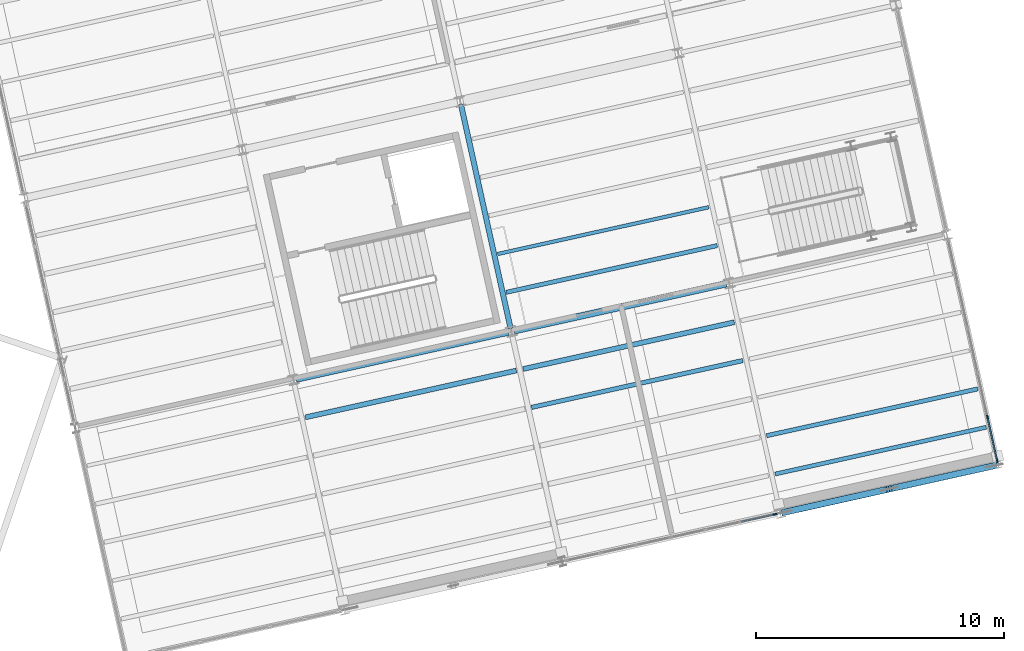
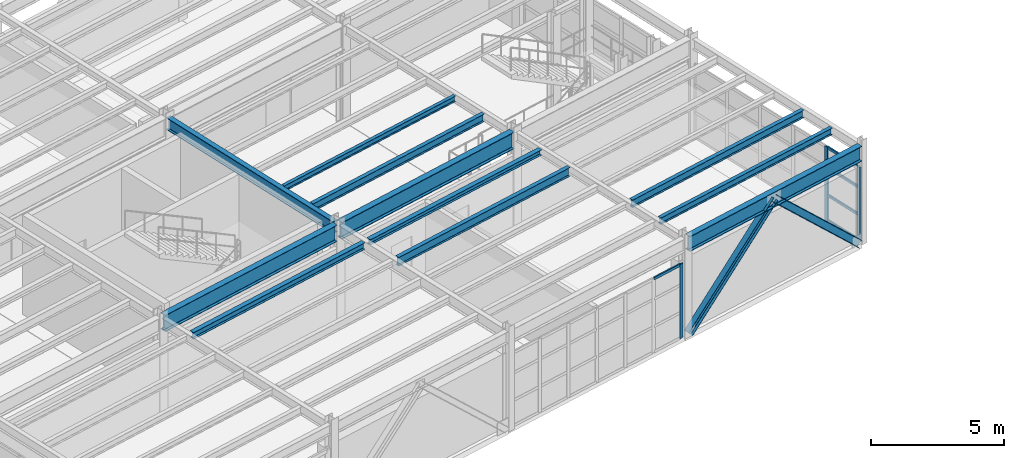
# One storey, part 59 of 109: 11 beams, 10 members, 2 elements without a shape of their own.
"""IFC4 building model written with IfcOpenShell, lengths in metres."""

import ifcopenshell
import ifcopenshell.guid

model = None  # the IFC model being written
_history = None  # IfcOwnerHistory: only IFC2X3 demands one
_inside = {}  # id of a spatial element -> (the spatial element, [elements in it])
_under = {}  # id of a project, library or spatial element -> (it, [spatial elements below it])
_declared = {}  # id of a project -> (the project, [libraries it declares])
_typed = {}  # id of a type object -> (the type object, [elements of that type])
_made_of = {}  # id of a material, layer set ... -> (it, [elements and type objects made of it])


def new_model(schema):
    """Start an empty IFC model of exactly this schema.

    Asked for "IFC4X3", IfcOpenShell would pick the latest addendum, in which some entities
    have other attributes; the version numbers below select the first issue.
    IFC2X3 requires an IfcOwnerHistory on every rooted entity: one is made here for all.
    """
    global model, _history
    if schema == "IFC4X3":
        model = ifcopenshell.file(schema_version=(4, 3, 0, 0))
    else:
        model = ifcopenshell.file(schema=schema)
    _inside.clear()
    _under.clear()
    _declared.clear()
    _typed.clear()
    _made_of.clear()
    _history = None
    if model.schema == "IFC2X3":
        org = make("IfcOrganization", Name="unknown")
        user = make(
            "IfcPersonAndOrganization",
            ThePerson=make("IfcPerson", FamilyName="unknown"),
            TheOrganization=org,
        )
        app = make(
            "IfcApplication",
            ApplicationDeveloper=org,
            Version="unknown",
            ApplicationFullName="unknown",
            ApplicationIdentifier="unknown",
        )
        _history = make(
            "IfcOwnerHistory",
            OwningUser=user,
            OwningApplication=app,
            ChangeAction="ADDED",
            CreationDate=0,
        )
    return model


def make(cls, **values):
    """One entity of the class cls with the attributes given. An attribute that is None is left unset."""
    return model.create_entity(
        cls, **{name: value for name, value in values.items() if value is not None}
    )


def rooted(cls, **values):
    """An entity with a GlobalId (a new one), such as an element, a storey or a relation."""
    return make(cls, GlobalId=ifcopenshell.guid.new(), OwnerHistory=_history, **values)


def si_unit(unit_type, name, prefix=None):
    """IfcSIUnit, for example si_unit("LENGTHUNIT", "METRE", prefix="MILLI")."""
    return make("IfcSIUnit", UnitType=unit_type, Prefix=prefix, Name=name)


def assignment(units):
    """IfcUnitAssignment: the units of a project."""
    return None if units is None else make("IfcUnitAssignment", Units=units)


def point(xyz):
    """IfcCartesianPoint."""
    return None if xyz is None else make("IfcCartesianPoint", Coordinates=xyz)


def direction(xyz):
    """IfcDirection."""
    return None if xyz is None else make("IfcDirection", DirectionRatios=xyz)


def frame(location, z_axis=None, x_axis=None):
    """IfcAxis2Placement3D, a coordinate frame: its origin and axes. An axis left out is left unset."""
    return make(
        "IfcAxis2Placement3D",
        Location=point(location),
        Axis=direction(z_axis),
        RefDirection=direction(x_axis),
    )


def frame_2d(location, x_axis=None):
    """IfcAxis2Placement2D, a coordinate frame in the plane: its origin and x axis."""
    return make(
        "IfcAxis2Placement2D", Location=point(location), RefDirection=direction(x_axis)
    )


def origin():
    """The frame at (0, 0, 0) with its axes left unset."""
    return frame((0.0, 0.0, 0.0))


def origin_2d():
    """The frame at (0, 0) in the plane with its x axis left unset."""
    return frame_2d((0.0, 0.0))


def place(relative_to, where):
    """IfcLocalPlacement: puts the frame where relative to a parent placement (None: the world)."""
    return make(
        "IfcLocalPlacement", PlacementRelTo=relative_to, RelativePlacement=where
    )


def context(
    kind, dimensions, precision=None, world=None, true_north=None, identifier=None
):
    """IfcGeometricRepresentationContext, for example the 3D "Model" context."""
    return make(
        "IfcGeometricRepresentationContext",
        ContextIdentifier=identifier,
        ContextType=kind,
        CoordinateSpaceDimension=dimensions,
        Precision=precision,
        WorldCoordinateSystem=world,
        TrueNorth=true_north,
    )


def subcontext(parent, identifier, kind, view, scale=None):
    """IfcGeometricRepresentationSubContext, for example "Body" below "Model"."""
    return make(
        "IfcGeometricRepresentationSubContext",
        ContextIdentifier=identifier,
        ContextType=kind,
        ParentContext=parent,
        TargetScale=scale,
        TargetView=view,
    )


def project(units=None, contexts=None):
    """IfcProject with its units and contexts."""
    return rooted(
        "IfcProject",
        Name="project",
        RepresentationContexts=contexts,
        UnitsInContext=assignment(units),
    )


def spatial(cls, under=None, at=None, **own):
    """A site, building, storey or space (cls), placed at a placement, below another one or the project."""
    s = rooted(cls, ObjectPlacement=at, **own)
    if under is not None:
        _under.setdefault(under.id(), (under, []))[1].append(s)
    return s


def profile(cls, at=None, kind="AREA", **sizes):
    """A parametric profile (cls). Its sizes go by their IFC names, for example OverallWidth=200.0."""
    return make(cls, ProfileType=kind, Position=at, **sizes)


def rectangle(**sizes):
    """IfcRectangleProfileDef."""
    return profile("IfcRectangleProfileDef", **sizes)


def i_section(**sizes):
    """IfcIShapeProfileDef."""
    return profile("IfcIShapeProfileDef", **sizes)


def extrude(swept, where, along, depth):
    """IfcExtrudedAreaSolid: the profile swept, set in the frame where, extruded along a direction by depth."""
    return make(
        "IfcExtrudedAreaSolid",
        SweptArea=swept,
        Position=where,
        ExtrudedDirection=direction(along),
        Depth=depth,
    )


def shape(context_of_items, identifier, shape_type, items):
    """IfcShapeRepresentation: the items that make up one representation, for example the "Body"."""
    return make(
        "IfcShapeRepresentation",
        ContextOfItems=context_of_items,
        RepresentationIdentifier=identifier,
        RepresentationType=shape_type,
        Items=items,
    )


def material(Name=None, Category=None):
    """IfcMaterial."""
    return make("IfcMaterial", Name=Name, Category=Category)


def layer(
    of_material, thickness, ventilated=None, Name=None, Category=None, Priority=None
):
    """IfcMaterialLayer: one layer of a wall or slab, of a material (None: an air gap)."""
    return make(
        "IfcMaterialLayer",
        Material=of_material,
        LayerThickness=thickness,
        IsVentilated=ventilated,
        Name=Name,
        Category=Category,
        Priority=Priority,
    )


def layer_set(layers, Name=None):
    """IfcMaterialLayerSet."""
    return make("IfcMaterialLayerSet", MaterialLayers=layers, LayerSetName=Name)


def material_profile(
    of_material, cross_section, Name=None, Category=None, Priority=None
):
    """IfcMaterialProfile: a cross section and its material."""
    return make(
        "IfcMaterialProfile",
        Name=Name,
        Material=of_material,
        Profile=cross_section,
        Priority=Priority,
        Category=Category,
    )


def profile_set(profiles, Name=None, composite=None):
    """IfcMaterialProfileSet."""
    return make(
        "IfcMaterialProfileSet",
        Name=Name,
        MaterialProfiles=profiles,
        CompositeProfile=composite,
    )


def made_of(thing, what):
    """Note that an element or type object is made of a material, layer set ...; save() writes the relation."""
    if what is not None:
        _made_of.setdefault(what.id(), (what, []))[1].append(thing)
    return thing


def type_object(cls, material=None, **own):
    """A type object (cls), such as IfcWallType, which elements share."""
    return made_of(rooted(cls, **own), material)


def element(
    cls,
    number,
    at=None,
    inside=None,
    cuts=None,
    type_object=None,
    material=None,
    context=None,
    identifier="Body",
    shape_type=None,
    held_by="IfcProductDefinitionShape",
    body=None,
    shapes=None,
    **own,
):
    """One element of the class cls, such as IfcWall. Its Tag is "e" and its number.

    at: its placement. inside: the storey or other place that contains it. cuts: it is an
    opening in that element (IfcRelVoidsElement). A single representation is given by context,
    identifier, shape_type and body (its items); several are given by shapes. held_by: the class
    of the entity that holds the representations. save() writes the other relations.
    """
    e = rooted(cls, Tag="e%d" % number, ObjectPlacement=at, **own)
    if body is not None:
        shapes = [shape(context, identifier, shape_type, body)]
    if shapes is not None:
        e.Representation = make(held_by, Representations=shapes)
    if inside is not None:
        _inside.setdefault(inside.id(), (inside, []))[1].append(e)
    if cuts is not None:
        rooted(
            "IfcRelVoidsElement", RelatingBuildingElement=cuts, RelatedOpeningElement=e
        )
    if type_object is not None:
        _typed.setdefault(type_object.id(), (type_object, []))[1].append(e)
    return made_of(e, material)


def aggregate(whole, parts):
    """IfcRelAggregates: a whole, such as a stair, and the parts it consists of."""
    return rooted("IfcRelAggregates", RelatingObject=whole, RelatedObjects=parts)


def save(model, path):
    """Write the relations noted so far, then the file.

    IfcRelAggregates (storeys below a building ...), IfcRelContainedInSpatialStructure (elements
    in a storey), IfcRelDefinesByType, IfcRelAssociatesMaterial and IfcRelDeclares: one each for
    every whole, place, type object, material and project.
    """
    for whole, parts in _under.values():
        aggregate(whole, parts)
    for where, things in _inside.values():
        rooted(
            "IfcRelContainedInSpatialStructure",
            RelatedElements=things,
            RelatingStructure=where,
        )
    for kind, things in _typed.values():
        rooted("IfcRelDefinesByType", RelatedObjects=things, RelatingType=kind)
    for what, things in _made_of.values():
        rooted("IfcRelAssociatesMaterial", RelatedObjects=things, RelatingMaterial=what)
    for by, libraries in _declared.values():
        rooted("IfcRelDeclares", RelatingContext=by, RelatedDefinitions=libraries)
    model.write(path)


model = new_model("IFC4")

# Units and contexts
model_context = context("Model", 3, precision=1e-05, world=origin(), true_north=direction((0.0, 1.0)))
body_context = subcontext(model_context, "Body", "Model", "MODEL_VIEW")
ifc_project = project(units=[si_unit("LENGTHUNIT", "METRE"), si_unit("AREAUNIT", "SQUARE_METRE"), si_unit("VOLUMEUNIT", "CUBIC_METRE"), si_unit("PLANEANGLEUNIT", "RADIAN"), si_unit("MASSUNIT", "GRAM", prefix="KILO")], contexts=[model_context])

# Site, building, storey
site_placement = place(None, origin())
site = spatial("IfcSite", under=ifc_project, at=site_placement, CompositionType="ELEMENT")
building_placement = place(site_placement, origin())
building = spatial("IfcBuilding", under=site, at=building_placement, Name="Vireo Bluff Cable Station", CompositionType="ELEMENT")
storey_placement = place(building_placement, frame((0.0, 0.0, 4.800048828125)))
storey = spatial("IfcBuildingStorey", under=building, at=storey_placement, Name="L01", CompositionType="ELEMENT", Elevation=4.800048828125)

# Beam
ifc_material_1 = material(Name="Steel ASTM A992 Gr. 50", Category="steel")
ifc_material_profile_1 = material_profile(ifc_material_1, i_section(OverallWidth=0.214111328125, OverallDepth=0.549072265625, WebThickness=0.0146484375, FlangeThickness=0.023681640625, FilletRadius=0.012939453125, at=origin_2d()), Name="W21X93")
ifc_profile_set_1 = profile_set([ifc_material_profile_1], Name="Steel ASTM A992 Gr. 50")
beam_type_1 = type_object("IfcBeamType", Name="BM-W21X93", PredefinedType="BEAM", material=ifc_profile_set_1)
beam_1_placement = place(storey_placement, frame((141.4912109375, 87.287841796875, 4.265380859375), z_axis=(-0.216430734067, 0.976297975698, 0.0), x_axis=(-0.976297975698, -0.216430734067, 0.0)))
element("IfcBeam", 1, at=beam_1_placement, inside=storey, type_object=beam_type_1, Name="V2 L01 beam 463", PredefinedType="BEAM", context=body_context, shape_type="SweptSolid", body=[
    extrude(i_section(OverallWidth=0.214111328125, OverallDepth=0.549072265625, WebThickness=0.0146484375, FlangeThickness=0.023681640625, FilletRadius=0.012939453125, at=origin_2d()), origin(), (0.0, 0.0, 1.0), 9.260009765625),
])

# Members
ifc_material_profile_2 = material_profile(ifc_material_1, i_section(OverallWidth=0.25390625, OverallDepth=0.305908203125, WebThickness=0.0087890625, FlangeThickness=0.0146484375, FilletRadius=0.010986328125, at=origin_2d()), Name="W12X53")
ifc_profile_set_2 = profile_set([ifc_material_profile_2], Name="Steel ASTM A992 Gr. 50")
member_type_1 = type_object("IfcMemberType", Name="BRC-04", PredefinedType="BRACE", material=ifc_profile_set_2)
member_1_placement = place(storey_placement, frame((152.51611328125, 79.87841796875, 0.0400390625), z_axis=(0.706452640158, 0.156627665322, 0.690211881722), x_axis=(-0.216453952688, 0.976292828185, 0.0)))
element("IfcMember", 2, at=member_1_placement, inside=storey, type_object=member_type_1, Name="V2 L01 concentric brace 33L", PredefinedType="BRACE", context=body_context, shape_type="SweptSolid", body=[
    extrude(i_section(OverallWidth=0.25390625, OverallDepth=0.305908203125, WebThickness=0.0087890625, FlangeThickness=0.0146484375, FilletRadius=0.010986328125, at=origin_2d()), origin(), (0.0, 0.0, 1.0), 5.998046875),
])
ifc_material_profile_3 = material_profile(ifc_material_1, i_section(OverallWidth=0.25390625, OverallDepth=0.31005859375, WebThickness=0.009033203125, FlangeThickness=0.016357421875, FilletRadius=0.010986328125, at=origin_2d()), Name="W12X58")
ifc_profile_set_3 = profile_set([ifc_material_profile_3], Name="Steel ASTM A992 Gr. 50")
member_type_2 = type_object("IfcMemberType", Name="BRC-05", PredefinedType="BRACE", material=ifc_profile_set_3)
member_2_placement = place(storey_placement, frame((160.990478515625, 81.757080078125, 0.0400390625), z_axis=(-0.706436753261, -0.156592462679, 0.69023612936), x_axis=(0.216412221259, -0.976302079528, 0.0)))
element("IfcMember", 3, at=member_2_placement, inside=storey, type_object=member_type_2, Name="V2 L01 concentric brace 34R", PredefinedType="BRACE", context=body_context, shape_type="SweptSolid", body=[
    extrude(i_section(OverallWidth=0.25390625, OverallDepth=0.31005859375, WebThickness=0.009033203125, FlangeThickness=0.016357421875, FilletRadius=0.010986328125, at=origin_2d()), origin(), (0.0, 0.0, 1.0), 5.997802734375),
])

# Curtain wall, member
ifc_material_2 = material(Name="Anodized Aluminium 6063-T6", Category="aluminium")
ifc_layer_1 = layer(ifc_material_2, 0.179931640625, Name="Anodized Aluminium 6063-T6")
ifc_layer_set_1 = layer_set([ifc_layer_1], Name="Anodized Aluminium 6063-T6")
curtain_wall_type_1 = type_object("IfcCurtainWallType", Name="CW-UNIT-1400", PredefinedType="USERDEFINED", material=ifc_layer_set_1)
curtain_wall_1_placement = place(storey_placement, origin())
curtain_wall_1 = element("IfcCurtainWall", 4, at=curtain_wall_1_placement, inside=storey, type_object=curtain_wall_type_1, Name="V2 L01 south curtain wall CW-042", ObjectType="UNITISED CURTAIN WALL", PredefinedType="USERDEFINED")
ifc_material_profile_4 = material_profile(ifc_material_2, rectangle(XDim=0.06005859375, YDim=0.159912109375, at=origin_2d()), Name="ALU-M-60X160")
ifc_profile_set_4 = profile_set([ifc_material_profile_4], Name="Anodized Aluminium 6063-T6")
member_type_3 = type_object("IfcMemberType", Name="CWM-03", PredefinedType="MULLION", material=ifc_profile_set_4)
member_3_placement = place(storey_placement, frame((152.148193359375, 79.796875, 0.0), z_axis=(0.0, 0.0, 1.0), x_axis=(0.21643962164, -0.976296005412, 0.0)))
member_3 = element("IfcMember", 5, at=member_3_placement, type_object=member_type_3, Name="CW-042 mullion 1", PredefinedType="MULLION", context=body_context, shape_type="SweptSolid", body=[
    extrude(rectangle(XDim=0.06005859375, YDim=0.159912109375, at=origin_2d()), origin(), (0.0, 0.0, 1.0), 3.39990234375),
])

# Curtain wall, members
ifc_layer_2 = layer(ifc_material_2, 0.159912109375, Name="Anodized Aluminium 6063-T6")
ifc_layer_set_2 = layer_set([ifc_layer_2], Name="Anodized Aluminium 6063-T6")
curtain_wall_type_2 = type_object("IfcCurtainWallType", Name="CW-STICK-1750", PredefinedType="USERDEFINED", material=ifc_layer_set_2)
curtain_wall_2_placement = place(storey_placement, origin())
curtain_wall_2 = element("IfcCurtainWall", 6, at=curtain_wall_2_placement, inside=storey, type_object=curtain_wall_type_2, Name="V2 L01 east curtain wall CW-050", ObjectType="STICK CURTAIN WALL", PredefinedType="USERDEFINED")
member_4_placement = place(storey_placement, frame((160.720703125, 83.712890625, 0.0), z_axis=(0.0, 0.0, 1.0), x_axis=(0.97629600746, 0.216439612405, 0.0)))
member_4 = element("IfcMember", 7, at=member_4_placement, type_object=member_type_3, Name="CW-050 mullion 5", PredefinedType="MULLION", context=body_context, shape_type="SweptSolid", body=[
    extrude(rectangle(XDim=0.06005859375, YDim=0.159912109375, at=origin_2d()), origin(), (0.0, 0.0, 1.0), 3.39990234375),
])
member_5_placement = place(storey_placement, frame((161.112060546875, 81.947998046875, 0.0), z_axis=(0.0, 0.0, 1.0), x_axis=(0.97629600746, 0.216439612405, 0.0)))
member_5 = element("IfcMember", 8, at=member_5_placement, type_object=member_type_3, Name="CW-050 mullion 6", PredefinedType="MULLION", context=body_context, shape_type="SweptSolid", body=[
    extrude(rectangle(XDim=0.06005859375, YDim=0.159912109375, at=origin_2d()), origin(), (0.0, 0.0, 1.0), 3.39990234375),
])

# Member
ifc_material_profile_5 = material_profile(ifc_material_2, rectangle(XDim=0.06005859375, YDim=0.1201171875, at=origin_2d()), Name="ALU-T-60X120")
ifc_profile_set_5 = profile_set([ifc_material_profile_5], Name="Anodized Aluminium 6063-T6")
member_type_4 = type_object("IfcMemberType", Name="CWT-03", PredefinedType="USERDEFINED", material=ifc_profile_set_5)
member_6_placement = place(storey_placement, frame((152.118896484375, 79.79052734375, 3.369873046875), z_axis=(-0.976263188696, -0.216587595207, 0.0), x_axis=(0.216587595207, -0.976263188696, 0.0)))
member_6 = element("IfcMember", 9, at=member_6_placement, type_object=member_type_4, Name="CW-042 transom 1.4", ObjectType="TRANSOM", PredefinedType="USERDEFINED", context=body_context, shape_type="SweptSolid", body=[
    extrude(rectangle(XDim=0.06005859375, YDim=0.1201171875, at=origin_2d()), origin(), (0.0, 0.0, 1.0), 1.357177734375),
])

aggregate(curtain_wall_1, [member_3, member_6])

member_7_placement = place(storey_placement, frame((160.727294921875, 83.68359375, 0.030029296875), z_axis=(0.216383159141, -0.976308521135, 0.0), x_axis=(0.976308521135, 0.216383159141, 0.0)))
member_7 = element("IfcMember", 10, at=member_7_placement, type_object=member_type_4, Name="CW-050 transom 5.1", ObjectType="TRANSOM", PredefinedType="USERDEFINED", context=body_context, shape_type="SweptSolid", body=[
    extrude(rectangle(XDim=0.06005859375, YDim=0.1201171875, at=origin_2d()), origin(), (0.0, 0.0, 1.0), 1.747802734375),
])

member_8_placement = place(storey_placement, frame((160.727294921875, 83.68359375, 1.18994140625), z_axis=(0.216383159141, -0.976308521135, 0.0), x_axis=(0.976308521135, 0.216383159141, 0.0)))
member_8 = element("IfcMember", 11, at=member_8_placement, type_object=member_type_4, Name="CW-050 transom 5.2", ObjectType="TRANSOM", PredefinedType="USERDEFINED", context=body_context, shape_type="SweptSolid", body=[
    extrude(rectangle(XDim=0.06005859375, YDim=0.1201171875, at=origin_2d()), origin(), (0.0, 0.0, 1.0), 1.747802734375),
])

member_9_placement = place(storey_placement, frame((160.727294921875, 83.68359375, 2.447998046875), z_axis=(0.216383159141, -0.976308521135, 0.0), x_axis=(0.976308521135, 0.216383159141, 0.0)))
member_9 = element("IfcMember", 12, at=member_9_placement, type_object=member_type_4, Name="CW-050 transom 5.3", ObjectType="TRANSOM", PredefinedType="USERDEFINED", context=body_context, shape_type="SweptSolid", body=[
    extrude(rectangle(XDim=0.06005859375, YDim=0.1201171875, at=origin_2d()), origin(), (0.0, 0.0, 1.0), 1.747802734375),
])

member_10_placement = place(storey_placement, frame((160.727294921875, 83.68359375, 3.369873046875), z_axis=(0.216383159141, -0.976308521135, 0.0), x_axis=(0.976308521135, 0.216383159141, 0.0)))
member_10 = element("IfcMember", 13, at=member_10_placement, type_object=member_type_4, Name="CW-050 transom 5.4", ObjectType="TRANSOM", PredefinedType="USERDEFINED", context=body_context, shape_type="SweptSolid", body=[
    extrude(rectangle(XDim=0.06005859375, YDim=0.1201171875, at=origin_2d()), origin(), (0.0, 0.0, 1.0), 1.747802734375),
])

aggregate(curtain_wall_2, [member_4, member_5, member_7, member_8, member_9, member_10])

# Beams
ifc_material_profile_6 = material_profile(ifc_material_1, i_section(OverallWidth=0.26708984375, OverallDepth=0.77001953125, WebThickness=0.015625, FlangeThickness=0.025390625, FilletRadius=0.01611328125, at=origin_2d()), Name="W30X132")
ifc_profile_set_6 = profile_set([ifc_material_profile_6], Name="Steel ASTM A992 Gr. 50")
beam_type_2 = type_object("IfcBeamType", Name="GIR-W30X132", PredefinedType="USERDEFINED", material=ifc_profile_set_6)
beam_2_placement = place(storey_placement, frame((141.63427734375, 87.19677734375, 4.155029296875), z_axis=(0.97629710087, 0.216434680293, 0.0), x_axis=(-0.216434680293, 0.97629710087, 0.0)))
element("IfcBeam", 14, at=beam_2_placement, inside=storey, type_object=beam_type_2, Name="V2 L01 girder 446", ObjectType="GIRDER", PredefinedType="USERDEFINED", context=body_context, shape_type="SweptSolid", body=[
    extrude(i_section(OverallWidth=0.26708984375, OverallDepth=0.77001953125, WebThickness=0.015625, FlangeThickness=0.025390625, FilletRadius=0.01611328125, at=origin_2d()), origin(), (0.0, 0.0, 1.0), 8.760009765625),
])
ifc_material_profile_7 = material_profile(ifc_material_1, i_section(OverallWidth=0.264892578125, OverallDepth=0.7529296875, WebThickness=0.01318359375, FlangeThickness=0.01708984375, FilletRadius=0.01611328125, at=origin_2d()), Name="W30X99")
ifc_profile_set_7 = profile_set([ifc_material_profile_7], Name="Steel ASTM A992 Gr. 50")
beam_type_3 = type_object("IfcBeamType", Name="GIR-W30X99", PredefinedType="USERDEFINED", material=ifc_profile_set_7)
beam_3_placement = place(storey_placement, frame((132.84765625, 85.248779296875, 4.163330078125), z_axis=(0.976295795297, 0.216440569406, 0.0), x_axis=(-0.216440569406, 0.976295795297, 0.0)))
element("IfcBeam", 15, at=beam_3_placement, inside=storey, type_object=beam_type_3, Name="V2 L01 girder 445", ObjectType="GIRDER", PredefinedType="USERDEFINED", context=body_context, shape_type="SweptSolid", body=[
    extrude(i_section(OverallWidth=0.264892578125, OverallDepth=0.7529296875, WebThickness=0.01318359375, FlangeThickness=0.01708984375, FilletRadius=0.01611328125, at=origin_2d()), origin(), (0.0, 0.0, 1.0), 8.760009765625),
])
ifc_material_profile_8 = material_profile(ifc_material_1, i_section(OverallWidth=0.14599609375, OverallDepth=0.259033203125, WebThickness=0.006103515625, FlangeThickness=0.009033203125, FilletRadius=0.009033203125, at=origin_2d()), Name="W10X22")
ifc_profile_set_8 = profile_set([ifc_material_profile_8], Name="Steel ASTM A992 Gr. 50")
beam_type_4 = type_object("IfcBeamType", Name="JST-W10X22", PredefinedType="JOIST", material=ifc_profile_set_8)
beam_4_placement = place(storey_placement, frame((140.968505859375, 90.292724609375, 4.410400390625), z_axis=(0.976298923088, 0.216426460438, 0.0), x_axis=(-0.216426460438, 0.976298923088, 0.0)))
element("IfcBeam", 16, at=beam_4_placement, inside=storey, type_object=beam_type_4, Name="V2 L01 composite joist 502", PredefinedType="JOIST", context=body_context, shape_type="SweptSolid", body=[
    extrude(i_section(OverallWidth=0.14599609375, OverallDepth=0.259033203125, WebThickness=0.006103515625, FlangeThickness=0.009033203125, FilletRadius=0.009033203125, at=origin_2d()), origin(), (0.0, 0.0, 1.0), 8.719970703125),
])
ifc_material_profile_9 = material_profile(ifc_material_1, i_section(OverallWidth=0.201904296875, OverallDepth=0.2470703125, WebThickness=0.00732421875, FlangeThickness=0.010986328125, FilletRadius=0.009033203125, at=origin_2d()), Name="W10X33")
ifc_profile_set_9 = profile_set([ifc_material_profile_9], Name="Steel ASTM A992 Gr. 50")
beam_type_5 = type_object("IfcBeamType", Name="JST-W10X33", PredefinedType="JOIST", material=ifc_profile_set_9)
beam_5_placement = place(storey_placement, frame((141.99658203125, 85.6552734375, 4.41650390625), z_axis=(0.976298923088, 0.216426460438, 0.0), x_axis=(-0.216426460438, 0.976298923088, 0.0)))
element("IfcBeam", 17, at=beam_5_placement, inside=storey, type_object=beam_type_5, Name="V2 L01 composite joist 500", PredefinedType="JOIST", context=body_context, shape_type="SweptSolid", body=[
    extrude(i_section(OverallWidth=0.201904296875, OverallDepth=0.2470703125, WebThickness=0.00732421875, FlangeThickness=0.010986328125, FilletRadius=0.009033203125, at=origin_2d()), origin(), (0.0, 0.0, 1.0), 8.719970703125),
])
ifc_material_profile_10 = material_profile(ifc_material_1, i_section(OverallWidth=0.1650390625, OverallDepth=0.31005859375, WebThickness=0.005859375, FlangeThickness=0.009765625, FilletRadius=0.010009765625, at=origin_2d()), Name="W12X26")
ifc_profile_set_10 = profile_set([ifc_material_profile_10], Name="Steel ASTM A992 Gr. 50")
beam_type_6 = type_object("IfcBeamType", Name="JST-W12X26", PredefinedType="JOIST", material=ifc_profile_set_10)
beam_6_placement = place(storey_placement, frame((152.154052734375, 81.419921875, 4.385009765625), z_axis=(0.976293006815, 0.216453146994, 0.0), x_axis=(-0.216453146994, 0.976293006815, 0.0)))
element("IfcBeam", 18, at=beam_6_placement, inside=storey, type_object=beam_type_6, Name="V2 L01 composite joist 511", PredefinedType="JOIST", context=body_context, shape_type="SweptSolid", body=[
    extrude(i_section(OverallWidth=0.1650390625, OverallDepth=0.31005859375, WebThickness=0.005859375, FlangeThickness=0.009765625, FilletRadius=0.010009765625, at=origin_2d()), origin(), (0.0, 0.0, 1.0), 8.719970703125),
])
ifc_material_profile_11 = material_profile(ifc_material_1, i_section(OverallWidth=0.202880859375, OverallDepth=0.302978515625, WebThickness=0.007568359375, FlangeThickness=0.01318359375, FilletRadius=0.010009765625, at=origin_2d()), Name="W12X40")
ifc_profile_set_11 = profile_set([ifc_material_profile_11], Name="Steel ASTM A992 Gr. 50")
beam_type_7 = type_object("IfcBeamType", Name="JST-W12X40", PredefinedType="JOIST", material=ifc_profile_set_11)
beam_7_placement = place(storey_placement, frame((133.2099609375, 83.707275390625, 4.388427734375), z_axis=(0.976293006815, 0.216453146994, 0.0), x_axis=(-0.216453146994, 0.976293006815, 0.0)))
element("IfcBeam", 19, at=beam_7_placement, inside=storey, type_object=beam_type_7, Name="V2 L01 composite joist 490", PredefinedType="JOIST", context=body_context, shape_type="SweptSolid", body=[
    extrude(i_section(OverallWidth=0.202880859375, OverallDepth=0.302978515625, WebThickness=0.007568359375, FlangeThickness=0.01318359375, FilletRadius=0.010009765625, at=origin_2d()), origin(), (0.0, 0.0, 1.0), 8.719970703125),
])
ifc_material_profile_12 = material_profile(ifc_material_1, i_section(OverallWidth=0.1708984375, OverallDepth=0.35107421875, WebThickness=0.0068359375, FlangeThickness=0.009765625, FilletRadius=0.010009765625, at=origin_2d()), Name="W14X30")
ifc_profile_set_12 = profile_set([ifc_material_profile_12], Name="Steel ASTM A992 Gr. 50")
beam_type_8 = type_object("IfcBeamType", Name="JST-W14X30", PredefinedType="JOIST", material=ifc_profile_set_12)
beam_8_placement = place(storey_placement, frame((141.31103515625, 88.746826171875, 4.364501953125), z_axis=(0.976294318526, 0.216447230551, 0.0), x_axis=(-0.216447230551, 0.976294318526, 0.0)))
element("IfcBeam", 20, at=beam_8_placement, inside=storey, type_object=beam_type_8, Name="V2 L01 composite joist 501", PredefinedType="JOIST", context=body_context, shape_type="SweptSolid", body=[
    extrude(i_section(OverallWidth=0.1708984375, OverallDepth=0.35107421875, WebThickness=0.0068359375, FlangeThickness=0.009765625, FilletRadius=0.010009765625, at=origin_2d()), origin(), (0.0, 0.0, 1.0), 8.72021484375),
])
beam_9_placement = place(storey_placement, frame((151.811279296875, 82.9658203125, 4.364501953125), z_axis=(0.976298923088, 0.216426460438, 0.0), x_axis=(-0.216426460438, 0.976298923088, 0.0)))
element("IfcBeam", 21, at=beam_9_placement, inside=storey, type_object=beam_type_8, Name="V2 L01 composite joist 512", PredefinedType="JOIST", context=body_context, shape_type="SweptSolid", body=[
    extrude(i_section(OverallWidth=0.1708984375, OverallDepth=0.35107421875, WebThickness=0.0068359375, FlangeThickness=0.009765625, FilletRadius=0.010009765625, at=origin_2d()), origin(), (0.0, 0.0, 1.0), 8.719970703125),
])
ifc_material_profile_13 = material_profile(ifc_material_1, i_section(OverallWidth=0.177978515625, OverallDepth=0.404052734375, WebThickness=0.007568359375, FlangeThickness=0.010986328125, FilletRadius=0.010009765625, at=origin_2d()), Name="W16X36")
ifc_profile_set_13 = profile_set([ifc_material_profile_13], Name="Steel ASTM A992 Gr. 50")
beam_type_9 = type_object("IfcBeamType", Name="JST-W16X36", PredefinedType="JOIST", material=ifc_profile_set_13)
beam_10_placement = place(storey_placement, frame((142.339111328125, 84.109375, 4.337890625), z_axis=(0.976294318526, 0.216447230551, 0.0), x_axis=(-0.216447230551, 0.976294318526, 0.0)))
element("IfcBeam", 22, at=beam_10_placement, inside=storey, type_object=beam_type_9, Name="V2 L01 composite joist 499", PredefinedType="JOIST", context=body_context, shape_type="SweptSolid", body=[
    extrude(i_section(OverallWidth=0.177978515625, OverallDepth=0.404052734375, WebThickness=0.007568359375, FlangeThickness=0.010986328125, FilletRadius=0.010009765625, at=origin_2d()), origin(), (0.0, 0.0, 1.0), 8.72021484375),
])
ifc_material_profile_14 = material_profile(ifc_material_1, i_section(OverallWidth=0.257080078125, OverallDepth=0.693115234375, WebThickness=0.014404296875, FlangeThickness=0.023681640625, FilletRadius=0.014892578125, at=origin_2d()), Name="W27X114")
ifc_profile_set_14 = profile_set([ifc_material_profile_14], Name="Steel ASTM A992 Gr. 50")
beam_type_10 = type_object("IfcBeamType", Name="SPN-W27X114", PredefinedType="SPANDREL", material=ifc_profile_set_14)
beam_11_placement = place(storey_placement, frame((152.47705078125, 79.869873046875, 4.193359375), z_axis=(0.97629710087, 0.216434680293, 0.0), x_axis=(-0.216434680293, 0.97629710087, 0.0)))
element("IfcBeam", 23, at=beam_11_placement, inside=storey, type_object=beam_type_10, Name="V2 L01 spandrel 443", PredefinedType="SPANDREL", context=body_context, shape_type="SweptSolid", body=[
    extrude(i_section(OverallWidth=0.257080078125, OverallDepth=0.693115234375, WebThickness=0.014404296875, FlangeThickness=0.023681640625, FilletRadius=0.014892578125, at=origin_2d()), origin(), (0.0, 0.0, 1.0), 8.760009765625),
])

save(model, "model.ifc")
